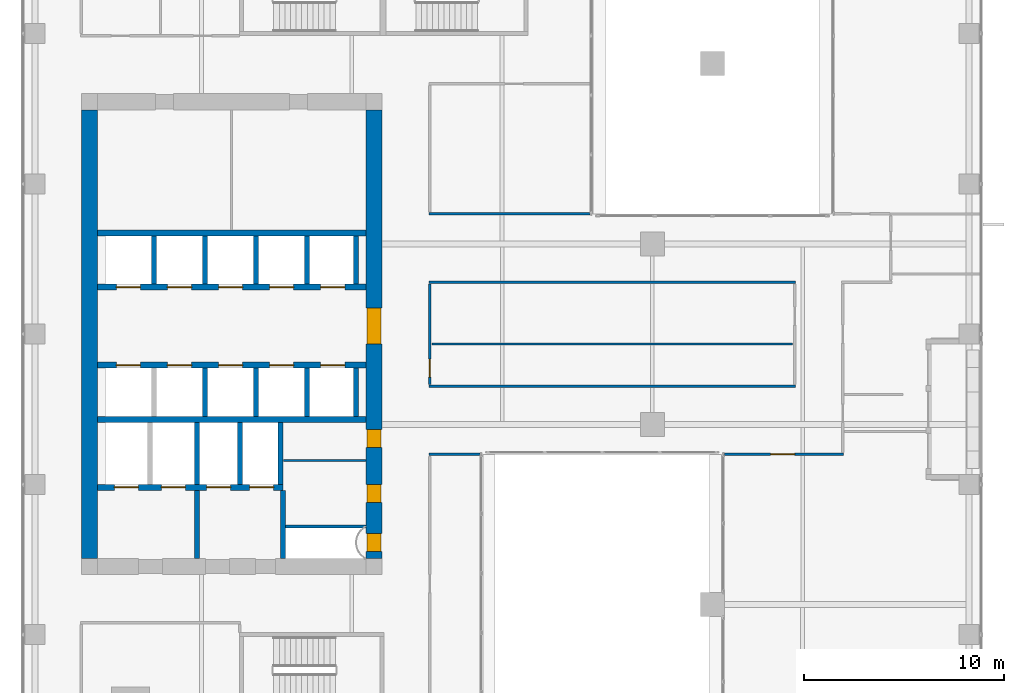
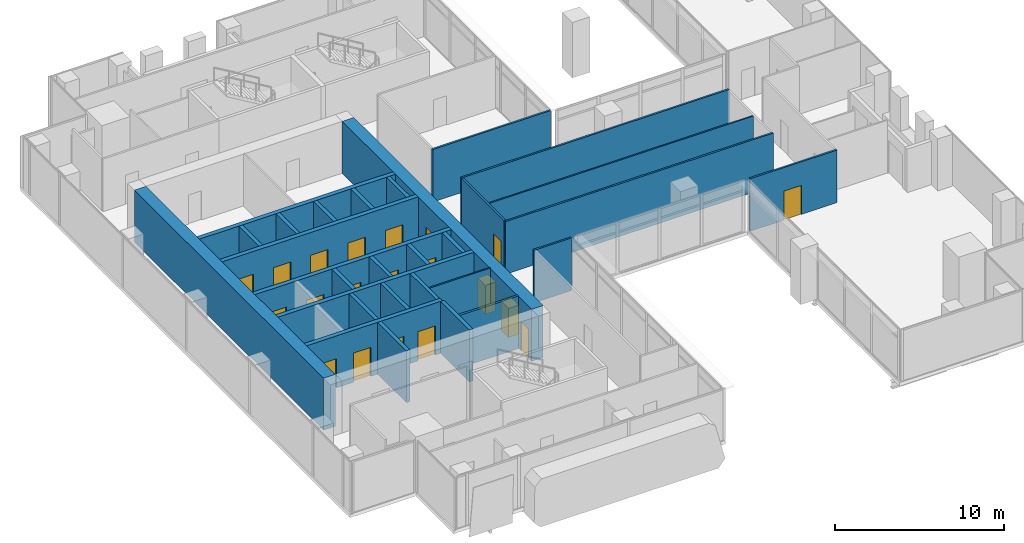
# One storey, part 32 of 37: 30 walls, 20 doors, 20 openings.
"""IFC4 building model written with IfcOpenShell, lengths in metres."""

from ifc_helpers import new_model, si_unit, direction, frame, frame_2d, origin, place, context, subcontext, project, spatial, rectangle, extrude, source, transform, mapped, material, layer, layer_set, type_object, element, fill, save


model = new_model("IFC4")

# Units and contexts
model_context = context("Model", 3, precision=1e-05, world=origin(), true_north=direction((0.0, 1.0)))
body_context = subcontext(model_context, "Body", "Model", "MODEL_VIEW")
ifc_project = project(units=[si_unit("LENGTHUNIT", "METRE"), si_unit("AREAUNIT", "SQUARE_METRE"), si_unit("VOLUMEUNIT", "CUBIC_METRE"), si_unit("PLANEANGLEUNIT", "RADIAN"), si_unit("MASSUNIT", "GRAM", prefix="KILO")], contexts=[model_context])

# Site, building, storey
site_placement = place(None, origin())
site = spatial("IfcSite", under=ifc_project, at=site_placement, CompositionType="ELEMENT")
building_placement = place(site_placement, origin())
building = spatial("IfcBuilding", under=site, at=building_placement, Name="Khomas Fold Tower", CompositionType="ELEMENT")
storey_placement = place(building_placement, frame((0.0, 0.0, 168.699951171875)))
storey = spatial("IfcBuildingStorey", under=building, at=storey_placement, Name="L36", CompositionType="ELEMENT", Elevation=168.699951171875)

# Wall, openings, doors
ifc_material_1 = material(Name="Concrete C60/75", Category="concrete")
ifc_layer_1 = layer(ifc_material_1, 0.800048828125)
ifc_layer_set_1 = layer_set([ifc_layer_1], Name="Concrete C60/75")
wall_type_1 = type_object("IfcWallType", Name="Core wall 800", PredefinedType="SHEAR", material=ifc_layer_set_1)
shared_shape_1 = source(origin(), body_context, "Body", "SweptSolid", [
    extrude(rectangle(XDim=22.39990234375, YDim=0.800048828125, at=frame_2d((11.199951171875, 0.0))), origin(), (0.0, 0.0, 1.0), 3.75),
])
wall_1_placement = place(storey_placement, frame((20.60009765625, 15.800048828125, 0.0), z_axis=(0.0, 0.0, 1.0), x_axis=(0.0, 1.0, 0.0)))
wall_1 = element("IfcWall", 1, at=wall_1_placement, inside=storey, type_object=wall_type_1, Name="Core wall CW-U-E-L35", PredefinedType="SHEAR", context=body_context, shape_type="MappedRepresentation", body=[
    mapped(shared_shape_1, transform((0.0, 0.0, 0.0))),
])
shared_shape_2 = source(origin(), body_context, "Body", "SweptSolid", [
    extrude(rectangle(XDim=1.800048828125, YDim=2.10009765625, at=frame_2d((0.89990234375, 1.050048828125))), frame((0.0, 0.409912109375, 0.0), z_axis=(0.0, -1.0, 0.0), x_axis=(1.0, 0.0, 0.0)), (0.0, 0.0, 1.0), 0.820068359375),
])
opening_1_placement = place(wall_1_placement, frame((10.699951171875, 0.0, 0.0)))
opening_1 = element("IfcOpeningElement", 2, at=opening_1_placement, cuts=wall_1, Name="Opening 0015", PredefinedType="OPENING", context=body_context, shape_type="MappedRepresentation", body=[
    mapped(shared_shape_2, transform((0.0, 0.0, 0.0))),
])
shared_shape_3 = source(origin(), body_context, "Body", "SweptSolid", [
    extrude(rectangle(XDim=0.89990234375, YDim=2.10009765625, at=frame_2d((0.449951171875, 1.050048828125))), frame((0.0, 0.409912109375, 0.0), z_axis=(0.0, -1.0, 0.0), x_axis=(1.0, 0.0, 0.0)), (0.0, 0.0, 1.0), 0.820068359375),
])
opening_2_placement = place(wall_1_placement, frame((0.35009765625, 0.0, 0.0)))
opening_2 = element("IfcOpeningElement", 3, at=opening_2_placement, cuts=wall_1, Name="Opening 0003", PredefinedType="OPENING", context=body_context, shape_type="MappedRepresentation", body=[
    mapped(shared_shape_3, transform((0.0, 0.0, 0.0))),
])
opening_3_placement = place(wall_1_placement, frame((2.800048828125, 0.0, 0.0)))
opening_3 = element("IfcOpeningElement", 4, at=opening_3_placement, cuts=wall_1, Name="Opening 0008", PredefinedType="OPENING", context=body_context, shape_type="MappedRepresentation", body=[
    mapped(shared_shape_3, transform((0.0, 0.0, 0.0))),
])
opening_4_placement = place(wall_1_placement, frame((5.550048828125, 0.0, 0.0)))
opening_4 = element("IfcOpeningElement", 5, at=opening_4_placement, cuts=wall_1, Name="Opening 0008", PredefinedType="OPENING", context=body_context, shape_type="MappedRepresentation", body=[
    mapped(shared_shape_3, transform((0.0, 0.0, 0.0))),
])
ifc_material_2 = material(Name="Steel door leaf", Category="steel")
door_type_1 = type_object("IfcDoorType", Name="Lobby door 1800x2100", OperationType="DOUBLE_DOOR_SINGLE_SWING", PredefinedType="DOOR", material=ifc_material_2)
shared_shape_4 = source(origin(), body_context, "Body", "SweptSolid", [
    extrude(rectangle(XDim=1.800048828125, YDim=2.10009765625, at=frame_2d((0.89990234375, 1.050048828125))), frame((0.0, 0.35009765625, 0.0), z_axis=(0.0, -1.0, 0.0), x_axis=(1.0, 0.0, 0.0)), (0.0, 0.0, 1.0), 0.699951171875),
])
door_1_placement = place(opening_1_placement, origin())
door_1 = element("IfcDoor", 6, at=door_1_placement, inside=storey, type_object=door_type_1, Name="Lobby door", OperationType="DOUBLE_DOOR_SINGLE_SWING", OverallHeight=2.10009765625, OverallWidth=1.800048828125, PredefinedType="DOOR", context=body_context, shape_type="MappedRepresentation", body=[
    mapped(shared_shape_4, transform((0.0, 0.0, 0.0))),
])
fill(opening_1, door_1)
ifc_material_3 = material(Name="Steel door leaf", Category="steel")
door_type_2 = type_object("IfcDoorType", Name="Plant room door 900x2100 right-hand", OperationType="SINGLE_SWING_RIGHT", PredefinedType="DOOR", material=ifc_material_3)
shared_shape_5 = source(origin(), body_context, "Body", "SweptSolid", [
    extrude(rectangle(XDim=0.89990234375, YDim=2.10009765625, at=frame_2d((0.449951171875, 1.050048828125))), frame((0.0, 0.35009765625, 0.0), z_axis=(0.0, -1.0, 0.0), x_axis=(1.0, 0.0, 0.0)), (0.0, 0.0, 1.0), 0.699951171875),
])
door_2_placement = place(opening_2_placement, origin())
door_2 = element("IfcDoor", 7, at=door_2_placement, inside=storey, type_object=door_type_2, Name="Plant room door", OperationType="SINGLE_SWING_RIGHT", OverallHeight=2.10009765625, OverallWidth=0.89990234375, PredefinedType="DOOR", context=body_context, shape_type="MappedRepresentation", body=[
    mapped(shared_shape_5, transform((0.0, 0.0, 0.0))),
])
fill(opening_2, door_2)
ifc_material_4 = material(Name="Timber door leaf", Category="wood")
door_type_3 = type_object("IfcDoorType", Name="Door 900x2100 right-hand", OperationType="SINGLE_SWING_RIGHT", PredefinedType="DOOR", material=ifc_material_4)
door_3_placement = place(opening_3_placement, origin())
door_3 = element("IfcDoor", 8, at=door_3_placement, inside=storey, type_object=door_type_3, Name="Door", OperationType="SINGLE_SWING_RIGHT", OverallHeight=2.10009765625, OverallWidth=0.89990234375, PredefinedType="DOOR", context=body_context, shape_type="MappedRepresentation", body=[
    mapped(shared_shape_5, transform((0.0, 0.0, 0.0))),
])
fill(opening_3, door_3)
door_4_placement = place(opening_4_placement, origin())
door_4 = element("IfcDoor", 9, at=door_4_placement, inside=storey, type_object=door_type_3, Name="Door", OperationType="SINGLE_SWING_RIGHT", OverallHeight=2.10009765625, OverallWidth=0.89990234375, PredefinedType="DOOR", context=body_context, shape_type="MappedRepresentation", body=[
    mapped(shared_shape_5, transform((0.0, 0.0, 0.0))),
])
fill(opening_4, door_4)

# Walls
wall_2_placement = place(storey_placement, frame((6.39990234375, 15.800048828125, 0.0), z_axis=(0.0, 0.0, 1.0), x_axis=(0.0, 1.0, 0.0)))
element("IfcWall", 10, at=wall_2_placement, inside=storey, type_object=wall_type_1, Name="Core wall CW-U-W-L35", PredefinedType="SHEAR", context=body_context, shape_type="MappedRepresentation", body=[
    mapped(shared_shape_1, transform((0.0, 0.0, 0.0))),
])
ifc_material_5 = material(Name="Concrete C50/60", Category="concrete")
ifc_layer_2 = layer(ifc_material_5, 0.300048828125)
ifc_layer_set_2 = layer_set([ifc_layer_2], Name="Concrete C50/60")
wall_type_2 = type_object("IfcWallType", Name="Shaft wall 300", PredefinedType="STANDARD", material=ifc_layer_set_2)
shared_shape_6 = source(origin(), body_context, "Body", "SweptSolid", [
    extrude(rectangle(XDim=13.39990234375, YDim=0.300048828125, at=frame_2d((6.699951171875, 0.0))), origin(), (0.0, 0.0, 1.0), 3.75),
])
for number, where, z_axis, x_axis, name in (
    (11, (6.800048828125, 22.75, 0.0), (0.0, 0.0, 1.0), (1.0, 0.0, 0.0), "Core wall SW-FS-B"),
    (12, (6.800048828125, 32.050048828125, 0.0), (0.0, 0.0, 1.0), (1.0, 0.0, 0.0), "Core wall SW-HRN-B"),
):
    element("IfcWall", number, at=place(storey_placement, frame(where, z_axis=z_axis, x_axis=x_axis)), inside=storey, type_object=wall_type_2, Name=name, PredefinedType="STANDARD", context=body_context, shape_type="MappedRepresentation", body=[
        mapped(shared_shape_6, transform((0.0, 0.0, 0.0))),
    ])

# Wall, openings, doors
wall_3_placement = place(storey_placement, frame((6.800048828125, 29.35009765625, 0.0), z_axis=(0.0, 0.0, 1.0), x_axis=(1.0, 0.0, 0.0)))
wall_3 = element("IfcWall", 13, at=wall_3_placement, inside=storey, type_object=wall_type_2, Name="Core wall SW-HRN-F", PredefinedType="STANDARD", context=body_context, shape_type="MappedRepresentation", body=[
    mapped(shared_shape_6, transform((0.0, 0.0, 0.0))),
])
shared_shape_7 = source(origin(), body_context, "Body", "SweptSolid", [
    extrude(rectangle(XDim=1.199951171875, YDim=2.10009765625, at=frame_2d((0.60009765625, 1.050048828125))), frame((0.0, 0.159912109375, 0.0), z_axis=(0.0, -1.0, 0.0), x_axis=(1.0, 0.0, 0.0)), (0.0, 0.0, 1.0), 0.320068359375),
])
opening_5_placement = place(wall_3_placement, frame((0.949951171875, 0.0, 0.0)))
opening_5 = element("IfcOpeningElement", 14, at=opening_5_placement, cuts=wall_3, Name="Opening LD-HR4", PredefinedType="OPENING", context=body_context, shape_type="MappedRepresentation", body=[
    mapped(shared_shape_7, transform((0.0, 0.0, 0.0))),
])
opening_6_placement = place(wall_3_placement, frame((3.5, 0.0, 0.0)))
opening_6 = element("IfcOpeningElement", 15, at=opening_6_placement, cuts=wall_3, Name="Opening LD-HR5", PredefinedType="OPENING", context=body_context, shape_type="MappedRepresentation", body=[
    mapped(shared_shape_7, transform((0.0, 0.0, 0.0))),
])
opening_7_placement = place(wall_3_placement, frame((6.050048828125, 0.0, 0.0)))
opening_7 = element("IfcOpeningElement", 16, at=opening_7_placement, cuts=wall_3, Name="Opening LD-HR6", PredefinedType="OPENING", context=body_context, shape_type="MappedRepresentation", body=[
    mapped(shared_shape_7, transform((0.0, 0.0, 0.0))),
])
opening_8_placement = place(wall_3_placement, frame((8.60009765625, 0.0, 0.0)))
opening_8 = element("IfcOpeningElement", 17, at=opening_8_placement, cuts=wall_3, Name="Opening LD-MR3", PredefinedType="OPENING", context=body_context, shape_type="MappedRepresentation", body=[
    mapped(shared_shape_7, transform((0.0, 0.0, 0.0))),
])
opening_9_placement = place(wall_3_placement, frame((11.14990234375, 0.0, 0.0)))
opening_9 = element("IfcOpeningElement", 18, at=opening_9_placement, cuts=wall_3, Name="Opening LD-MR4", PredefinedType="OPENING", context=body_context, shape_type="MappedRepresentation", body=[
    mapped(shared_shape_7, transform((0.0, 0.0, 0.0))),
])
ifc_material_6 = material(Name="Steel door leaf", Category="steel")
door_type_4 = type_object("IfcDoorType", Name="Landing door 1200x2100", OperationType="DOUBLE_DOOR_SLIDING", PredefinedType="DOOR", material=ifc_material_6)
shared_shape_8 = source(origin(), body_context, "Body", "SweptSolid", [
    extrude(rectangle(XDim=1.199951171875, YDim=2.10009765625, at=frame_2d((0.60009765625, 1.050048828125))), frame((0.0, 0.02490234375, 0.0), z_axis=(0.0, -1.0, 0.0), x_axis=(1.0, 0.0, 0.0)), (0.0, 0.0, 1.0), 0.050048828125),
])
door_5_placement = place(opening_5_placement, origin())
door_5 = element("IfcDoor", 19, at=door_5_placement, inside=storey, type_object=door_type_4, Name="Lift landing door", OperationType="DOUBLE_DOOR_SLIDING", OverallHeight=2.10009765625, OverallWidth=1.199951171875, PredefinedType="DOOR", context=body_context, shape_type="MappedRepresentation", body=[
    mapped(shared_shape_8, transform((0.0, 0.0, 0.0))),
])
fill(opening_5, door_5)
door_6_placement = place(opening_6_placement, origin())
door_6 = element("IfcDoor", 20, at=door_6_placement, inside=storey, type_object=door_type_4, Name="Lift landing door", OperationType="DOUBLE_DOOR_SLIDING", OverallHeight=2.10009765625, OverallWidth=1.199951171875, PredefinedType="DOOR", context=body_context, shape_type="MappedRepresentation", body=[
    mapped(shared_shape_8, transform((0.0, 0.0, 0.0))),
])
fill(opening_6, door_6)
door_7_placement = place(opening_7_placement, origin())
door_7 = element("IfcDoor", 21, at=door_7_placement, inside=storey, type_object=door_type_4, Name="Lift landing door", OperationType="DOUBLE_DOOR_SLIDING", OverallHeight=2.10009765625, OverallWidth=1.199951171875, PredefinedType="DOOR", context=body_context, shape_type="MappedRepresentation", body=[
    mapped(shared_shape_8, transform((0.0, 0.0, 0.0))),
])
fill(opening_7, door_7)
door_8_placement = place(opening_8_placement, origin())
door_8 = element("IfcDoor", 22, at=door_8_placement, inside=storey, type_object=door_type_4, Name="Lift landing door", OperationType="DOUBLE_DOOR_SLIDING", OverallHeight=2.10009765625, OverallWidth=1.199951171875, PredefinedType="DOOR", context=body_context, shape_type="MappedRepresentation", body=[
    mapped(shared_shape_8, transform((0.0, 0.0, 0.0))),
])
fill(opening_8, door_8)
door_9_placement = place(opening_9_placement, origin())
door_9 = element("IfcDoor", 23, at=door_9_placement, inside=storey, type_object=door_type_4, Name="Lift landing door", OperationType="DOUBLE_DOOR_SLIDING", OverallHeight=2.10009765625, OverallWidth=1.199951171875, PredefinedType="DOOR", context=body_context, shape_type="MappedRepresentation", body=[
    mapped(shared_shape_8, transform((0.0, 0.0, 0.0))),
])
fill(opening_9, door_9)

wall_4_placement = place(storey_placement, frame((6.800048828125, 25.449951171875, 0.0), z_axis=(0.0, 0.0, 1.0), x_axis=(1.0, 0.0, 0.0)))
wall_4 = element("IfcWall", 24, at=wall_4_placement, inside=storey, type_object=wall_type_2, Name="Core wall SW-HRS-F", PredefinedType="STANDARD", context=body_context, shape_type="MappedRepresentation", body=[
    mapped(shared_shape_6, transform((0.0, 0.0, 0.0))),
])
opening_10_placement = place(wall_4_placement, frame((0.949951171875, 0.0, 0.0)))
opening_10 = element("IfcOpeningElement", 25, at=opening_10_placement, cuts=wall_4, Name="Opening LD-HR1", PredefinedType="OPENING", context=body_context, shape_type="MappedRepresentation", body=[
    mapped(shared_shape_7, transform((0.0, 0.0, 0.0))),
])
opening_11_placement = place(wall_4_placement, frame((3.5, 0.0, 0.0)))
opening_11 = element("IfcOpeningElement", 26, at=opening_11_placement, cuts=wall_4, Name="Opening LD-HR2", PredefinedType="OPENING", context=body_context, shape_type="MappedRepresentation", body=[
    mapped(shared_shape_7, transform((0.0, 0.0, 0.0))),
])
opening_12_placement = place(wall_4_placement, frame((6.050048828125, 0.0, 0.0)))
opening_12 = element("IfcOpeningElement", 27, at=opening_12_placement, cuts=wall_4, Name="Opening LD-HR3", PredefinedType="OPENING", context=body_context, shape_type="MappedRepresentation", body=[
    mapped(shared_shape_7, transform((0.0, 0.0, 0.0))),
])
opening_13_placement = place(wall_4_placement, frame((8.60009765625, 0.0, 0.0)))
opening_13 = element("IfcOpeningElement", 28, at=opening_13_placement, cuts=wall_4, Name="Opening LD-MR1", PredefinedType="OPENING", context=body_context, shape_type="MappedRepresentation", body=[
    mapped(shared_shape_7, transform((0.0, 0.0, 0.0))),
])
opening_14_placement = place(wall_4_placement, frame((11.14990234375, 0.0, 0.0)))
opening_14 = element("IfcOpeningElement", 29, at=opening_14_placement, cuts=wall_4, Name="Opening LD-MR2", PredefinedType="OPENING", context=body_context, shape_type="MappedRepresentation", body=[
    mapped(shared_shape_7, transform((0.0, 0.0, 0.0))),
])
door_10_placement = place(opening_10_placement, origin())
door_10 = element("IfcDoor", 30, at=door_10_placement, inside=storey, type_object=door_type_4, Name="Lift landing door", OperationType="DOUBLE_DOOR_SLIDING", OverallHeight=2.10009765625, OverallWidth=1.199951171875, PredefinedType="DOOR", context=body_context, shape_type="MappedRepresentation", body=[
    mapped(shared_shape_8, transform((0.0, 0.0, 0.0))),
])
fill(opening_10, door_10)
door_11_placement = place(opening_11_placement, origin())
door_11 = element("IfcDoor", 31, at=door_11_placement, inside=storey, type_object=door_type_4, Name="Lift landing door", OperationType="DOUBLE_DOOR_SLIDING", OverallHeight=2.10009765625, OverallWidth=1.199951171875, PredefinedType="DOOR", context=body_context, shape_type="MappedRepresentation", body=[
    mapped(shared_shape_8, transform((0.0, 0.0, 0.0))),
])
fill(opening_11, door_11)
door_12_placement = place(opening_12_placement, origin())
door_12 = element("IfcDoor", 32, at=door_12_placement, inside=storey, type_object=door_type_4, Name="Lift landing door", OperationType="DOUBLE_DOOR_SLIDING", OverallHeight=2.10009765625, OverallWidth=1.199951171875, PredefinedType="DOOR", context=body_context, shape_type="MappedRepresentation", body=[
    mapped(shared_shape_8, transform((0.0, 0.0, 0.0))),
])
fill(opening_12, door_12)
door_13_placement = place(opening_13_placement, origin())
door_13 = element("IfcDoor", 33, at=door_13_placement, inside=storey, type_object=door_type_4, Name="Lift landing door", OperationType="DOUBLE_DOOR_SLIDING", OverallHeight=2.10009765625, OverallWidth=1.199951171875, PredefinedType="DOOR", context=body_context, shape_type="MappedRepresentation", body=[
    mapped(shared_shape_8, transform((0.0, 0.0, 0.0))),
])
fill(opening_13, door_13)
door_14_placement = place(opening_14_placement, origin())
door_14 = element("IfcDoor", 34, at=door_14_placement, inside=storey, type_object=door_type_4, Name="Lift landing door", OperationType="DOUBLE_DOOR_SLIDING", OverallHeight=2.10009765625, OverallWidth=1.199951171875, PredefinedType="DOOR", context=body_context, shape_type="MappedRepresentation", body=[
    mapped(shared_shape_8, transform((0.0, 0.0, 0.0))),
])
fill(opening_14, door_14)

shared_shape_9 = source(origin(), body_context, "Body", "SweptSolid", [
    extrude(rectangle(XDim=9.27490234375, YDim=0.300048828125, at=frame_2d((4.637451171875, 0.0))), origin(), (0.0, 0.0, 1.0), 3.75),
])
wall_5_placement = place(storey_placement, frame((6.800048828125, 19.35009765625, 0.0), z_axis=(0.0, 0.0, 1.0), x_axis=(1.0, 0.0, 0.0)))
wall_5 = element("IfcWall", 35, at=wall_5_placement, inside=storey, type_object=wall_type_2, Name="Core wall SW-FS-F", PredefinedType="STANDARD", context=body_context, shape_type="MappedRepresentation", body=[
    mapped(shared_shape_9, transform((0.0, 0.0, 0.0))),
])
opening_15_placement = place(wall_5_placement, frame((0.85009765625, 0.0, 0.0)))
opening_15 = element("IfcOpeningElement", 36, at=opening_15_placement, cuts=wall_5, Name="Opening LD-SV1", PredefinedType="OPENING", context=body_context, shape_type="MappedRepresentation", body=[
    mapped(shared_shape_7, transform((0.0, 0.0, 0.0))),
])
opening_16_placement = place(wall_5_placement, frame((3.199951171875, 0.0, 0.0)))
opening_16 = element("IfcOpeningElement", 37, at=opening_16_placement, cuts=wall_5, Name="Opening LD-SV2", PredefinedType="OPENING", context=body_context, shape_type="MappedRepresentation", body=[
    mapped(shared_shape_7, transform((0.0, 0.0, 0.0))),
])
opening_17_placement = place(wall_5_placement, frame((5.449951171875, 0.0, 0.0)))
opening_17 = element("IfcOpeningElement", 38, at=opening_17_placement, cuts=wall_5, Name="Opening LD-FF1", PredefinedType="OPENING", context=body_context, shape_type="MappedRepresentation", body=[
    mapped(shared_shape_7, transform((0.0, 0.0, 0.0))),
])
opening_18_placement = place(wall_5_placement, frame((7.60009765625, 0.0, 0.0)))
opening_18 = element("IfcOpeningElement", 39, at=opening_18_placement, cuts=wall_5, Name="Opening LD-FF2", PredefinedType="OPENING", context=body_context, shape_type="MappedRepresentation", body=[
    mapped(shared_shape_7, transform((0.0, 0.0, 0.0))),
])
door_15_placement = place(opening_15_placement, origin())
door_15 = element("IfcDoor", 40, at=door_15_placement, inside=storey, type_object=door_type_4, Name="Lift landing door", OperationType="DOUBLE_DOOR_SLIDING", OverallHeight=2.10009765625, OverallWidth=1.199951171875, PredefinedType="DOOR", context=body_context, shape_type="MappedRepresentation", body=[
    mapped(shared_shape_8, transform((0.0, 0.0, 0.0))),
])
fill(opening_15, door_15)
door_16_placement = place(opening_16_placement, origin())
door_16 = element("IfcDoor", 41, at=door_16_placement, inside=storey, type_object=door_type_4, Name="Lift landing door", OperationType="DOUBLE_DOOR_SLIDING", OverallHeight=2.10009765625, OverallWidth=1.199951171875, PredefinedType="DOOR", context=body_context, shape_type="MappedRepresentation", body=[
    mapped(shared_shape_8, transform((0.0, 0.0, 0.0))),
])
fill(opening_16, door_16)
door_17_placement = place(opening_17_placement, origin())
door_17 = element("IfcDoor", 42, at=door_17_placement, inside=storey, type_object=door_type_4, Name="Lift landing door", OperationType="DOUBLE_DOOR_SLIDING", OverallHeight=2.10009765625, OverallWidth=1.199951171875, PredefinedType="DOOR", context=body_context, shape_type="MappedRepresentation", body=[
    mapped(shared_shape_8, transform((0.0, 0.0, 0.0))),
])
fill(opening_17, door_17)
door_18_placement = place(opening_18_placement, origin())
door_18 = element("IfcDoor", 43, at=door_18_placement, inside=storey, type_object=door_type_4, Name="Lift landing door", OperationType="DOUBLE_DOOR_SLIDING", OverallHeight=2.10009765625, OverallWidth=1.199951171875, PredefinedType="DOOR", context=body_context, shape_type="MappedRepresentation", body=[
    mapped(shared_shape_8, transform((0.0, 0.0, 0.0))),
])
fill(opening_18, door_18)

# Walls
ifc_material_7 = material(Name="Concrete C50/60", Category="concrete")
ifc_layer_3 = layer(ifc_material_7, 0.25)
ifc_layer_set_3 = layer_set([ifc_layer_3], Name="Concrete C50/60")
wall_type_3 = type_object("IfcWallType", Name="Shaft wall 250", PredefinedType="STANDARD", material=ifc_layer_set_3)
shared_shape_10 = source(origin(), body_context, "Body", "SweptSolid", [
    extrude(rectangle(XDim=3.10009765625, YDim=0.25, at=frame_2d((1.550048828125, 0.0))), origin(), (0.0, 0.0, 1.0), 3.75),
])
for number, where, z_axis, x_axis, name in (
    (44, (11.77490234375, 19.5, 0.0), (0.0, 0.0, 1.0), (0.0, 1.0, 0.0), "Core wall SW-FS-P2"),
    (45, (13.925048828125, 19.5, 0.0), (0.0, 0.0, 1.0), (0.0, 1.0, 0.0), "Core wall SW-FS-P3"),
    (46, (15.949951171875, 19.5, 0.0), (0.0, 0.0, 1.0), (0.0, 1.0, 0.0), "Core wall SW-FS-PE"),
):
    element("IfcWall", number, at=place(storey_placement, frame(where, z_axis=z_axis, x_axis=x_axis)), inside=storey, type_object=wall_type_3, Name=name, PredefinedType="STANDARD", context=body_context, shape_type="MappedRepresentation", body=[
        mapped(shared_shape_10, transform((0.0, 0.0, 0.0))),
    ])
shared_shape_11 = source(origin(), body_context, "Body", "SweptSolid", [
    extrude(rectangle(XDim=2.39990234375, YDim=0.25, at=frame_2d((1.199951171875, 0.0))), origin(), (0.0, 0.0, 1.0), 3.75),
])
for number, where, z_axis, x_axis, name in (
    (47, (17.27490234375, 29.5, 0.0), (0.0, 0.0, 1.0), (0.0, 1.0, 0.0), "Core wall SW-HRN-MR-P1"),
    (48, (19.699951171875, 29.5, 0.0), (0.0, 0.0, 1.0), (0.0, 1.0, 0.0), "Core wall SW-HRN-MR-PE"),
    (49, (9.625, 29.5, 0.0), (0.0, 0.0, 1.0), (0.0, 1.0, 0.0), "Core wall SW-HRN-P1"),
    (50, (12.175048828125, 29.5, 0.0), (0.0, 0.0, 1.0), (0.0, 1.0, 0.0), "Core wall SW-HRN-P2"),
    (51, (14.72509765625, 29.5, 0.0), (0.0, 0.0, 1.0), (0.0, 1.0, 0.0), "Core wall SW-HRN-PE"),
):
    element("IfcWall", number, at=place(storey_placement, frame(where, z_axis=z_axis, x_axis=x_axis)), inside=storey, type_object=wall_type_3, Name=name, PredefinedType="STANDARD", context=body_context, shape_type="MappedRepresentation", body=[
        mapped(shared_shape_11, transform((0.0, 0.0, 0.0))),
    ])
shared_shape_12 = source(origin(), body_context, "Body", "SweptSolid", [
    extrude(rectangle(XDim=2.400146484375, YDim=0.25, at=frame_2d((1.2001953125, 0.0))), origin(), (0.0, 0.0, 1.0), 3.75),
])
for number, where, z_axis, x_axis, name in (
    (52, (17.27490234375, 22.89990234375, 0.0), (0.0, 0.0, 1.0), (0.0, 1.0, 0.0), "Core wall SW-HRS-MR-P1"),
    (53, (19.699951171875, 22.89990234375, 0.0), (0.0, 0.0, 1.0), (0.0, 1.0, 0.0), "Core wall SW-HRS-MR-PE"),
    (54, (12.175048828125, 22.89990234375, 0.0), (0.0, 0.0, 1.0), (0.0, 1.0, 0.0), "Core wall SW-HRS-P2"),
    (55, (14.72509765625, 22.89990234375, 0.0), (0.0, 0.0, 1.0), (0.0, 1.0, 0.0), "Core wall SW-HRS-PE"),
):
    element("IfcWall", number, at=place(storey_placement, frame(where, z_axis=z_axis, x_axis=x_axis)), inside=storey, type_object=wall_type_3, Name=name, PredefinedType="STANDARD", context=body_context, shape_type="MappedRepresentation", body=[
        mapped(shared_shape_12, transform((0.0, 0.0, 0.0))),
    ])
ifc_material_8 = material(Name="Concrete C50/60", Category="concrete")
ifc_layer_4 = layer(ifc_material_8, 0.25)
ifc_layer_set_4 = layer_set([ifc_layer_4], Name="Concrete C50/60")
wall_type_4 = type_object("IfcWallType", Name="Lobby wall 250", PredefinedType="STANDARD", material=ifc_layer_set_4)
shared_shape_13 = source(origin(), body_context, "Body", "SweptSolid", [
    extrude(rectangle(XDim=3.39990234375, YDim=0.25, at=frame_2d((1.699951171875, 0.0))), origin(), (0.0, 0.0, 1.0), 3.75),
])
for number, where, z_axis, x_axis, name in (
    (56, (16.074951171875, 15.800048828125, 0.0), (0.0, 0.0, 1.0), (0.0, 1.0, 0.0), "Core wall SW-FS-LOB-E"),
    (57, (11.77490234375, 15.800048828125, 0.0), (0.0, 0.0, 1.0), (0.0, 1.0, 0.0), "Core wall SW-FS-SEP"),
):
    element("IfcWall", number, at=place(storey_placement, frame(where, z_axis=z_axis, x_axis=x_axis)), inside=storey, type_object=wall_type_4, Name=name, PredefinedType="STANDARD", context=body_context, shape_type="MappedRepresentation", body=[
        mapped(shared_shape_13, transform((0.0, 0.0, 0.0))),
    ])
ifc_material_9 = material(Name="Plasterboard fire partition")
ifc_layer_5 = layer(ifc_material_9, 0.14990234375)
ifc_layer_set_5 = layer_set([ifc_layer_5], Name="Plasterboard fire partition")
wall_type_5 = type_object("IfcWallType", Name="Plant room wall PW3 150", PredefinedType="PARTITIONING", material=ifc_layer_set_5)
shared_shape_14 = source(origin(), body_context, "Body", "SweptSolid", [
    extrude(rectangle(XDim=4.0, YDim=0.14990234375, at=frame_2d((2.0, 0.0))), origin(), (0.0, 0.0, 1.0), 3.800048828125),
])
wall_6_placement = place(storey_placement, frame((16.199951171875, 17.39990234375, 0.0), z_axis=(0.0, 0.0, 1.0), x_axis=(1.0, 0.0, 0.0)))
element("IfcWall", 58, at=wall_6_placement, inside=storey, type_object=wall_type_5, Name="Plant room wall", PredefinedType="PARTITIONING", context=body_context, shape_type="MappedRepresentation", body=[
    mapped(shared_shape_14, transform((0.0, 0.0, 0.0))),
])
ifc_material_10 = material(Name="Plasterboard partition")
ifc_layer_6 = layer(ifc_material_10, 0.10009765625)
ifc_layer_set_6 = layer_set([ifc_layer_6], Name="Plasterboard partition")
wall_type_6 = type_object("IfcWallType", Name="Partition PW1 100", PredefinedType="PARTITIONING", material=ifc_layer_set_6)
shared_shape_15 = source(origin(), body_context, "Body", "SweptSolid", [
    extrude(rectangle(XDim=4.099853515625, YDim=0.10009765625, at=frame_2d((2.0498046875, 0.0))), origin(), (0.0, 0.0, 1.0), 3.800048828125),
])
wall_7_placement = place(storey_placement, frame((16.10009765625, 20.699951171875, 0.0), z_axis=(0.0, 0.0, 1.0), x_axis=(1.0, 0.0, 0.0)))
element("IfcWall", 59, at=wall_7_placement, inside=storey, type_object=wall_type_6, Name="Partition", PredefinedType="PARTITIONING", context=body_context, shape_type="MappedRepresentation", body=[
    mapped(shared_shape_15, transform((0.0, 0.0, 0.0))),
])
ifc_material_11 = material(Name="Plasterboard partition")
ifc_layer_7 = layer(ifc_material_11, 0.125)
ifc_layer_set_7 = layer_set([ifc_layer_7], Name="Plasterboard partition")
wall_type_7 = type_object("IfcWallType", Name="Partition PW2 125", PredefinedType="PARTITIONING", material=ifc_layer_set_7)
shared_shape_16 = source(origin(), body_context, "Body", "SweptSolid", [
    extrude(rectangle(XDim=18.2998046875, YDim=0.125, at=frame_2d((9.14990234375, 0.0))), origin(), (0.0, 0.0, 1.0), 3.800048828125),
])
for number, where, z_axis, x_axis, name in (
    (60, (23.35009765625, 24.39990234375, 0.0), (0.0, 0.0, 1.0), (1.0, 0.0, 0.0), "Partition"),
    (61, (23.35009765625, 29.60009765625, 0.0), (0.0, 0.0, 1.0), (1.0, 0.0, 0.0), "Partition"),
):
    element("IfcWall", number, at=place(storey_placement, frame(where, z_axis=z_axis, x_axis=x_axis)), inside=storey, type_object=wall_type_7, Name=name, PredefinedType="PARTITIONING", context=body_context, shape_type="MappedRepresentation", body=[
        mapped(shared_shape_16, transform((0.0, 0.0, 0.0))),
    ])

# Wall, opening, door
shared_shape_17 = source(origin(), body_context, "Body", "SweptSolid", [
    extrude(rectangle(XDim=5.0, YDim=0.125, at=frame_2d((2.5, 0.0))), origin(), (0.0, 0.0, 1.0), 3.800048828125),
])
wall_8_placement = place(storey_placement, frame((23.39990234375, 24.5, 0.0), z_axis=(0.0, 0.0, 1.0), x_axis=(0.0, 1.0, 0.0)))
wall_8 = element("IfcWall", 62, at=wall_8_placement, inside=storey, type_object=wall_type_7, Name="Partition", PredefinedType="PARTITIONING", context=body_context, shape_type="MappedRepresentation", body=[
    mapped(shared_shape_17, transform((0.0, 0.0, 0.0))),
])
shared_shape_18 = source(origin(), body_context, "Body", "SweptSolid", [
    extrude(rectangle(XDim=0.89990234375, YDim=2.10009765625, at=frame_2d((0.449951171875, 1.050048828125))), frame((0.0, 0.072509765625, 0.0), z_axis=(0.0, -1.0, 0.0), x_axis=(1.0, 0.0, 0.0)), (0.0, 0.0, 1.0), 0.14501953125),
])
opening_19_placement = place(wall_8_placement, frame((0.35009765625, 0.0, 0.0)))
opening_19 = element("IfcOpeningElement", 63, at=opening_19_placement, cuts=wall_8, Name="Opening 0007", PredefinedType="OPENING", context=body_context, shape_type="MappedRepresentation", body=[
    mapped(shared_shape_18, transform((0.0, 0.0, 0.0))),
])
ifc_material_12 = material(Name="Timber door leaf", Category="wood")
door_type_5 = type_object("IfcDoorType", Name="Door 900x2100 left-hand", OperationType="SINGLE_SWING_LEFT", PredefinedType="DOOR", material=ifc_material_12)
shared_shape_19 = source(origin(), body_context, "Body", "SweptSolid", [
    extrude(rectangle(XDim=0.89990234375, YDim=2.10009765625, at=frame_2d((0.449951171875, 1.050048828125))), frame((0.0, 0.02490234375, 0.0), z_axis=(0.0, -1.0, 0.0), x_axis=(1.0, 0.0, 0.0)), (0.0, 0.0, 1.0), 0.050048828125),
])
door_19_placement = place(opening_19_placement, origin())
door_19 = element("IfcDoor", 64, at=door_19_placement, inside=storey, type_object=door_type_5, Name="Door", OperationType="SINGLE_SWING_LEFT", OverallHeight=2.10009765625, OverallWidth=0.89990234375, PredefinedType="DOOR", context=body_context, shape_type="MappedRepresentation", body=[
    mapped(shared_shape_19, transform((0.0, 0.0, 0.0))),
])
fill(opening_19, door_19)

# Walls
shared_shape_20 = source(origin(), body_context, "Body", "SweptSolid", [
    extrude(rectangle(XDim=18.0, YDim=0.10009765625, at=frame_2d((9.0, 0.0))), origin(), (0.0, 0.0, 1.0), 3.800048828125),
])
wall_9_placement = place(storey_placement, frame((23.5, 26.5, 0.0), z_axis=(0.0, 0.0, 1.0), x_axis=(1.0, 0.0, 0.0)))
element("IfcWall", 65, at=wall_9_placement, inside=storey, type_object=wall_type_6, Name="Partition", PredefinedType="PARTITIONING", context=body_context, shape_type="MappedRepresentation", body=[
    mapped(shared_shape_20, transform((0.0, 0.0, 0.0))),
])
shared_shape_21 = source(origin(), body_context, "Body", "SweptSolid", [
    extrude(rectangle(XDim=2.5498046875, YDim=0.125, at=frame_2d((1.27490234375, 0.0))), origin(), (0.0, 0.0, 1.0), 3.800048828125),
])
wall_10_placement = place(storey_placement, frame((23.35009765625, 21.0, 0.0), z_axis=(0.0, 0.0, 1.0), x_axis=(1.0, 0.0, 0.0)))
element("IfcWall", 66, at=wall_10_placement, inside=storey, type_object=wall_type_7, Name="Partition", PredefinedType="PARTITIONING", context=body_context, shape_type="MappedRepresentation", body=[
    mapped(shared_shape_21, transform((0.0, 0.0, 0.0))),
])

# Wall, opening, door
shared_shape_22 = source(origin(), body_context, "Body", "SweptSolid", [
    extrude(rectangle(XDim=5.949951171875, YDim=0.125, at=frame_2d((2.97509765625, 0.0))), origin(), (0.0, 0.0, 1.0), 3.800048828125),
])
wall_11_placement = place(storey_placement, frame((38.10009765625, 21.0, 0.0), z_axis=(0.0, 0.0, 1.0), x_axis=(1.0, 0.0, 0.0)))
wall_11 = element("IfcWall", 67, at=wall_11_placement, inside=storey, type_object=wall_type_7, Name="Partition", PredefinedType="PARTITIONING", context=body_context, shape_type="MappedRepresentation", body=[
    mapped(shared_shape_22, transform((0.0, 0.0, 0.0))),
])
shared_shape_23 = source(origin(), body_context, "Body", "SweptSolid", [
    extrude(rectangle(XDim=1.199951171875, YDim=2.10009765625, at=frame_2d((0.60009765625, 1.050048828125))), frame((0.0, 0.072509765625, 0.0), z_axis=(0.0, -1.0, 0.0), x_axis=(1.0, 0.0, 0.0)), (0.0, 0.0, 1.0), 0.14501953125),
])
opening_20_placement = place(wall_11_placement, frame((2.300048828125, 0.0, 0.0)))
opening_20 = element("IfcOpeningElement", 68, at=opening_20_placement, cuts=wall_11, Name="Opening 0001", PredefinedType="OPENING", context=body_context, shape_type="MappedRepresentation", body=[
    mapped(shared_shape_23, transform((0.0, 0.0, 0.0))),
])
ifc_material_13 = material(Name="Timber door leaf", Category="wood")
door_type_6 = type_object("IfcDoorType", Name="Door 1200x2100 right-hand", OperationType="SINGLE_SWING_RIGHT", PredefinedType="DOOR", material=ifc_material_13)
door_20_placement = place(opening_20_placement, origin())
door_20 = element("IfcDoor", 69, at=door_20_placement, inside=storey, type_object=door_type_6, Name="Door", OperationType="SINGLE_SWING_RIGHT", OverallHeight=2.10009765625, OverallWidth=1.199951171875, PredefinedType="DOOR", context=body_context, shape_type="MappedRepresentation", body=[
    mapped(shared_shape_8, transform((0.0, 0.0, 0.0))),
])
fill(opening_20, door_20)

# Wall
shared_shape_24 = source(origin(), body_context, "Body", "SweptSolid", [
    extrude(rectangle(XDim=8.0498046875, YDim=0.125, at=frame_2d((4.02490234375, 0.0))), origin(), (0.0, 0.0, 1.0), 3.800048828125),
])
wall_12_placement = place(storey_placement, frame((23.35009765625, 33.0, 0.0), z_axis=(0.0, 0.0, 1.0), x_axis=(1.0, 0.0, 0.0)))
element("IfcWall", 70, at=wall_12_placement, inside=storey, type_object=wall_type_7, Name="Partition", PredefinedType="PARTITIONING", context=body_context, shape_type="MappedRepresentation", body=[
    mapped(shared_shape_24, transform((0.0, 0.0, 0.0))),
])

save(model, "model.ifc")
